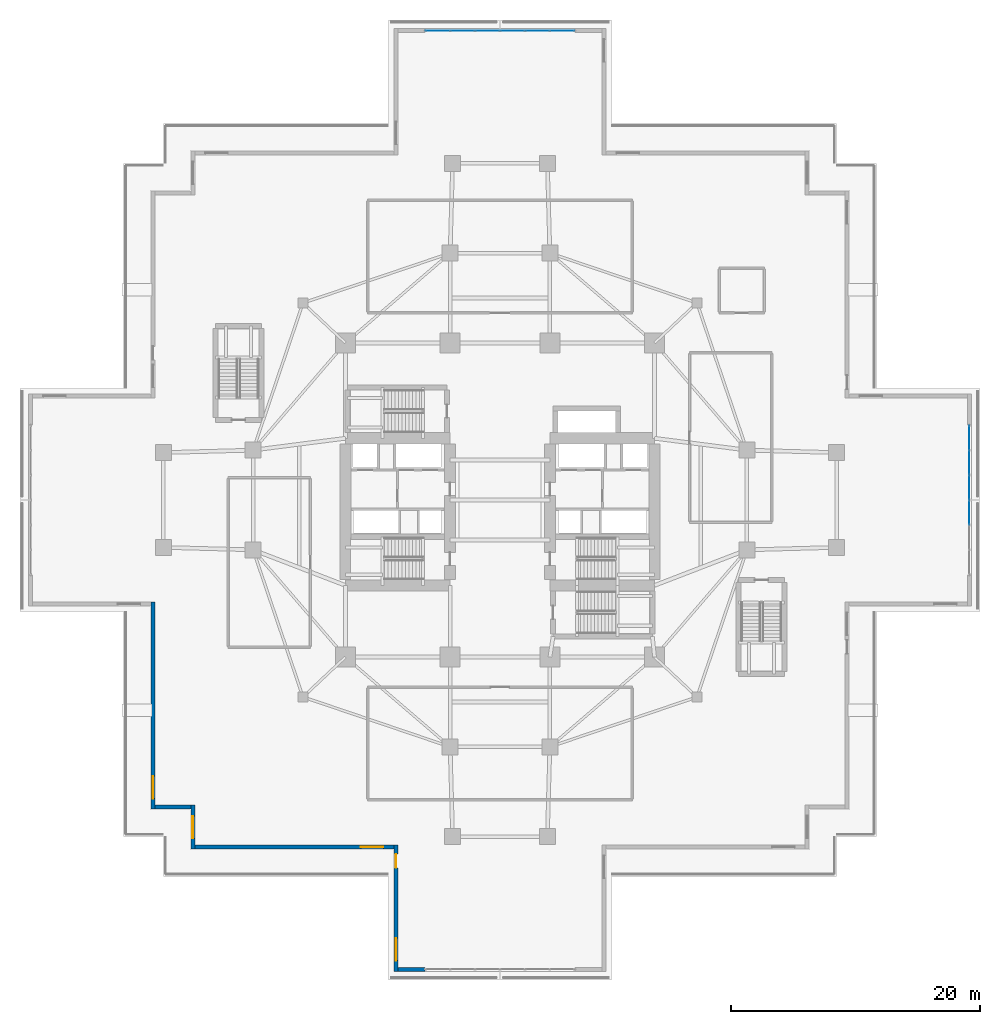
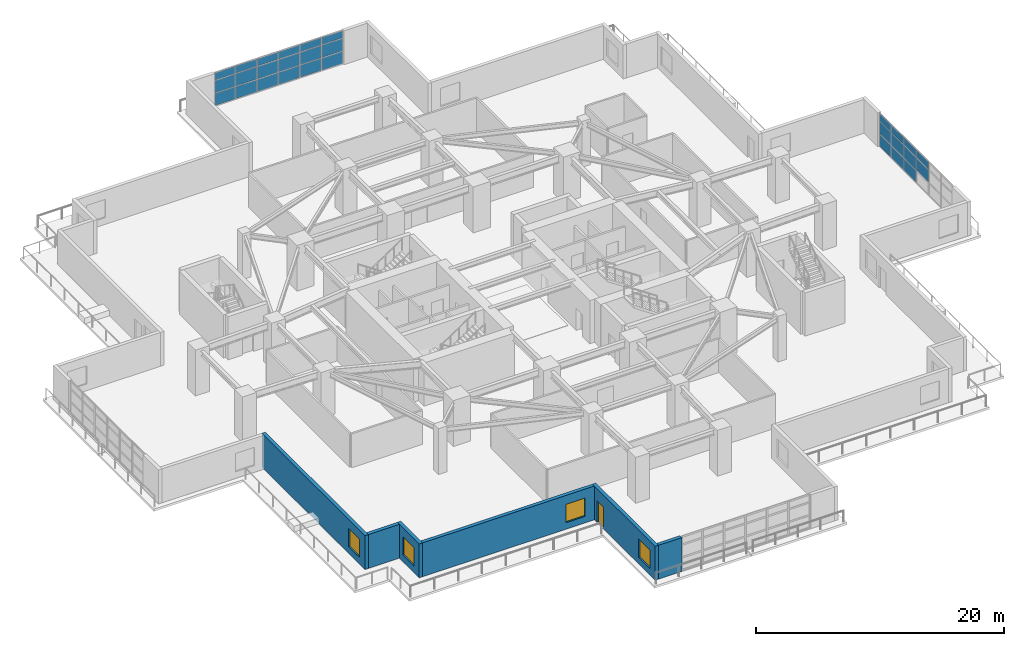
# One storey, part 12 of 23: 29 plates, 6 walls, 4 windows, 1 door, 5 openings, 2 elements without a shape of their own.
"""IFC4 building model written with IfcOpenShell, lengths in metres."""

import ifcopenshell
import ifcopenshell.guid

model = None  # the IFC model being written
_history = None  # IfcOwnerHistory: only IFC2X3 demands one
_inside = {}  # id of a spatial element -> (the spatial element, [elements in it])
_under = {}  # id of a project, library or spatial element -> (it, [spatial elements below it])
_declared = {}  # id of a project -> (the project, [libraries it declares])
_typed = {}  # id of a type object -> (the type object, [elements of that type])
_made_of = {}  # id of a material, layer set ... -> (it, [elements and type objects made of it])


def new_model(schema):
    """Start an empty IFC model of exactly this schema.

    Asked for "IFC4X3", IfcOpenShell would pick the latest addendum, in which some entities
    have other attributes; the version numbers below select the first issue.
    IFC2X3 requires an IfcOwnerHistory on every rooted entity: one is made here for all.
    """
    global model, _history
    if schema == "IFC4X3":
        model = ifcopenshell.file(schema_version=(4, 3, 0, 0))
    else:
        model = ifcopenshell.file(schema=schema)
    _inside.clear()
    _under.clear()
    _declared.clear()
    _typed.clear()
    _made_of.clear()
    _history = None
    if model.schema == "IFC2X3":
        org = make("IfcOrganization", Name="unknown")
        user = make(
            "IfcPersonAndOrganization",
            ThePerson=make("IfcPerson", FamilyName="unknown"),
            TheOrganization=org,
        )
        app = make(
            "IfcApplication",
            ApplicationDeveloper=org,
            Version="unknown",
            ApplicationFullName="unknown",
            ApplicationIdentifier="unknown",
        )
        _history = make(
            "IfcOwnerHistory",
            OwningUser=user,
            OwningApplication=app,
            ChangeAction="ADDED",
            CreationDate=0,
        )
    return model


def make(cls, **values):
    """One entity of the class cls with the attributes given. An attribute that is None is left unset."""
    return model.create_entity(
        cls, **{name: value for name, value in values.items() if value is not None}
    )


def rooted(cls, **values):
    """An entity with a GlobalId (a new one), such as an element, a storey or a relation."""
    return make(cls, GlobalId=ifcopenshell.guid.new(), OwnerHistory=_history, **values)


def si_unit(unit_type, name, prefix=None):
    """IfcSIUnit, for example si_unit("LENGTHUNIT", "METRE", prefix="MILLI")."""
    return make("IfcSIUnit", UnitType=unit_type, Prefix=prefix, Name=name)


def assignment(units):
    """IfcUnitAssignment: the units of a project."""
    return None if units is None else make("IfcUnitAssignment", Units=units)


def point(xyz):
    """IfcCartesianPoint."""
    return None if xyz is None else make("IfcCartesianPoint", Coordinates=xyz)


def direction(xyz):
    """IfcDirection."""
    return None if xyz is None else make("IfcDirection", DirectionRatios=xyz)


def frame(location, z_axis=None, x_axis=None):
    """IfcAxis2Placement3D, a coordinate frame: its origin and axes. An axis left out is left unset."""
    return make(
        "IfcAxis2Placement3D",
        Location=point(location),
        Axis=direction(z_axis),
        RefDirection=direction(x_axis),
    )


def frame_2d(location, x_axis=None):
    """IfcAxis2Placement2D, a coordinate frame in the plane: its origin and x axis."""
    return make(
        "IfcAxis2Placement2D", Location=point(location), RefDirection=direction(x_axis)
    )


def origin():
    """The frame at (0, 0, 0) with its axes left unset."""
    return frame((0.0, 0.0, 0.0))


def origin_2d():
    """The frame at (0, 0) in the plane with its x axis left unset."""
    return frame_2d((0.0, 0.0))


def place(relative_to, where):
    """IfcLocalPlacement: puts the frame where relative to a parent placement (None: the world)."""
    return make(
        "IfcLocalPlacement", PlacementRelTo=relative_to, RelativePlacement=where
    )


def context(
    kind, dimensions, precision=None, world=None, true_north=None, identifier=None
):
    """IfcGeometricRepresentationContext, for example the 3D "Model" context."""
    return make(
        "IfcGeometricRepresentationContext",
        ContextIdentifier=identifier,
        ContextType=kind,
        CoordinateSpaceDimension=dimensions,
        Precision=precision,
        WorldCoordinateSystem=world,
        TrueNorth=true_north,
    )


def subcontext(parent, identifier, kind, view, scale=None):
    """IfcGeometricRepresentationSubContext, for example "Body" below "Model"."""
    return make(
        "IfcGeometricRepresentationSubContext",
        ContextIdentifier=identifier,
        ContextType=kind,
        ParentContext=parent,
        TargetScale=scale,
        TargetView=view,
    )


def project(units=None, contexts=None):
    """IfcProject with its units and contexts."""
    return rooted(
        "IfcProject",
        Name="project",
        RepresentationContexts=contexts,
        UnitsInContext=assignment(units),
    )


def spatial(cls, under=None, at=None, **own):
    """A site, building, storey or space (cls), placed at a placement, below another one or the project."""
    s = rooted(cls, ObjectPlacement=at, **own)
    if under is not None:
        _under.setdefault(under.id(), (under, []))[1].append(s)
    return s


def profile(cls, at=None, kind="AREA", **sizes):
    """A parametric profile (cls). Its sizes go by their IFC names, for example OverallWidth=200.0."""
    return make(cls, ProfileType=kind, Position=at, **sizes)


def rectangle(**sizes):
    """IfcRectangleProfileDef."""
    return profile("IfcRectangleProfileDef", **sizes)


def extrude(swept, where, along, depth):
    """IfcExtrudedAreaSolid: the profile swept, set in the frame where, extruded along a direction by depth."""
    return make(
        "IfcExtrudedAreaSolid",
        SweptArea=swept,
        Position=where,
        ExtrudedDirection=direction(along),
        Depth=depth,
    )


def shape(context_of_items, identifier, shape_type, items):
    """IfcShapeRepresentation: the items that make up one representation, for example the "Body"."""
    return make(
        "IfcShapeRepresentation",
        ContextOfItems=context_of_items,
        RepresentationIdentifier=identifier,
        RepresentationType=shape_type,
        Items=items,
    )


def material(Name=None, Category=None):
    """IfcMaterial."""
    return make("IfcMaterial", Name=Name, Category=Category)


def layer(
    of_material, thickness, ventilated=None, Name=None, Category=None, Priority=None
):
    """IfcMaterialLayer: one layer of a wall or slab, of a material (None: an air gap)."""
    return make(
        "IfcMaterialLayer",
        Material=of_material,
        LayerThickness=thickness,
        IsVentilated=ventilated,
        Name=Name,
        Category=Category,
        Priority=Priority,
    )


def layer_set(layers, Name=None):
    """IfcMaterialLayerSet."""
    return make("IfcMaterialLayerSet", MaterialLayers=layers, LayerSetName=Name)


def made_of(thing, what):
    """Note that an element or type object is made of a material, layer set ...; save() writes the relation."""
    if what is not None:
        _made_of.setdefault(what.id(), (what, []))[1].append(thing)
    return thing


def type_object(cls, material=None, **own):
    """A type object (cls), such as IfcWallType, which elements share."""
    return made_of(rooted(cls, **own), material)


def element(
    cls,
    number,
    at=None,
    inside=None,
    cuts=None,
    type_object=None,
    material=None,
    context=None,
    identifier="Body",
    shape_type=None,
    held_by="IfcProductDefinitionShape",
    body=None,
    shapes=None,
    **own,
):
    """One element of the class cls, such as IfcWall. Its Tag is "e" and its number.

    at: its placement. inside: the storey or other place that contains it. cuts: it is an
    opening in that element (IfcRelVoidsElement). A single representation is given by context,
    identifier, shape_type and body (its items); several are given by shapes. held_by: the class
    of the entity that holds the representations. save() writes the other relations.
    """
    e = rooted(cls, Tag="e%d" % number, ObjectPlacement=at, **own)
    if body is not None:
        shapes = [shape(context, identifier, shape_type, body)]
    if shapes is not None:
        e.Representation = make(held_by, Representations=shapes)
    if inside is not None:
        _inside.setdefault(inside.id(), (inside, []))[1].append(e)
    if cuts is not None:
        rooted(
            "IfcRelVoidsElement", RelatingBuildingElement=cuts, RelatedOpeningElement=e
        )
    if type_object is not None:
        _typed.setdefault(type_object.id(), (type_object, []))[1].append(e)
    return made_of(e, material)


def fill(opening, filler):
    """IfcRelFillsElement: the door or window that sits in an opening."""
    return rooted(
        "IfcRelFillsElement",
        RelatingOpeningElement=opening,
        RelatedBuildingElement=filler,
    )


def aggregate(whole, parts):
    """IfcRelAggregates: a whole, such as a stair, and the parts it consists of."""
    return rooted("IfcRelAggregates", RelatingObject=whole, RelatedObjects=parts)


def save(model, path):
    """Write the relations noted so far, then the file.

    IfcRelAggregates (storeys below a building ...), IfcRelContainedInSpatialStructure (elements
    in a storey), IfcRelDefinesByType, IfcRelAssociatesMaterial and IfcRelDeclares: one each for
    every whole, place, type object, material and project.
    """
    for whole, parts in _under.values():
        aggregate(whole, parts)
    for where, things in _inside.values():
        rooted(
            "IfcRelContainedInSpatialStructure",
            RelatedElements=things,
            RelatingStructure=where,
        )
    for kind, things in _typed.values():
        rooted("IfcRelDefinesByType", RelatedObjects=things, RelatingType=kind)
    for what, things in _made_of.values():
        rooted("IfcRelAssociatesMaterial", RelatedObjects=things, RelatingMaterial=what)
    for by, libraries in _declared.values():
        rooted("IfcRelDeclares", RelatingContext=by, RelatedDefinitions=libraries)
    model.write(path)


model = new_model("IFC4")

# Units and contexts
model_context = context("Model", 3, precision=1e-05, world=origin(), true_north=direction((0.0, 1.0)))
body_context = subcontext(model_context, "Body", "Model", "MODEL_VIEW")
ifc_project = project(units=[si_unit("LENGTHUNIT", "METRE"), si_unit("AREAUNIT", "SQUARE_METRE"), si_unit("VOLUMEUNIT", "CUBIC_METRE"), si_unit("PLANEANGLEUNIT", "RADIAN"), si_unit("MASSUNIT", "GRAM", prefix="KILO")], contexts=[model_context])

# Site, building, storey
site_placement = place(None, origin())
site = spatial("IfcSite", under=ifc_project, at=site_placement, CompositionType="ELEMENT")
building_placement = place(site_placement, origin())
building = spatial("IfcBuilding", under=site, at=building_placement, Name="Qingluan Cross Belvedere", CompositionType="ELEMENT")
storey_placement = place(building_placement, frame((0.0, 0.0, 10.199951171875)))
storey = spatial("IfcBuildingStorey", under=building, at=storey_placement, Name="L03", CompositionType="ELEMENT", Elevation=10.199951171875)

# Curtain wall, plates
ifc_material_1 = material(Name="Thermally broken aluminium and Low-E glass", Category="aluminium")
ifc_layer_1 = layer(ifc_material_1, 0.219970703125, Name="UnitisedCW_BallroomFoyer")
ifc_layer_set_1 = layer_set([ifc_layer_1], Name="Thermally broken aluminium and Low-E glass")
curtain_wall_type = type_object("IfcCurtainWallType", Name="UnitisedCW_BallroomFoyer", PredefinedType="USERDEFINED", material=ifc_layer_set_1)
curtain_wall_1_placement = place(storey_placement, origin())
curtain_wall_1 = element("IfcCurtainWall", 1, at=curtain_wall_1_placement, inside=storey, type_object=curtain_wall_type, Name="UnitisedCW_BallroomFoyer run env:cw:L03:N", ObjectType="UNITISED CURTAIN WALL", PredefinedType="USERDEFINED")
ifc_material_2 = material(Name="Ceramic-fritted insulated spandrel glass", Category="glass")
ifc_layer_2 = layer(ifc_material_2, 0.0439453125, Name="CWSpandrelPanel_44")
ifc_layer_set_2 = layer_set([ifc_layer_2], Name="Ceramic-fritted insulated spandrel glass")
plate_type = type_object("IfcPlateType", Name="CWSpandrelPanel_44", PredefinedType="CURTAIN_PANEL", material=ifc_layer_set_2)
plate_1_placement = place(storey_placement, frame((-4.985107421875, 37.639892578125, 0.06005859375), z_axis=(0.0, 0.0, 1.0), x_axis=(1.0, 0.0, 0.0)))
plate_1 = element("IfcPlate", 2, at=plate_1_placement, type_object=plate_type, Name="CW-P2 panel 1.1", PredefinedType="CURTAIN_PANEL", context=body_context, shape_type="SweptSolid", body=[
    extrude(rectangle(XDim=1.909912109375, YDim=0.028076171875, at=origin_2d()), origin(), (0.0, 0.0, 1.0), 1.175048828125),
])
plate_2_placement = place(storey_placement, frame((-4.985107421875, 37.639892578125, 1.294921875), z_axis=(0.0, 0.0, 1.0), x_axis=(1.0, 0.0, 0.0)))
plate_2 = element("IfcPlate", 3, at=plate_2_placement, type_object=plate_type, Name="CW-P2 panel 1.2", PredefinedType="CURTAIN_PANEL", context=body_context, shape_type="SweptSolid", body=[
    extrude(rectangle(XDim=1.909912109375, YDim=0.028076171875, at=origin_2d()), origin(), (0.0, 0.0, 1.0), 1.2060546875),
])
plate_3_placement = place(storey_placement, frame((-4.985107421875, 37.639892578125, 2.56103515625), z_axis=(0.0, 0.0, 1.0), x_axis=(1.0, 0.0, 0.0)))
plate_3 = element("IfcPlate", 4, at=plate_3_placement, type_object=plate_type, Name="CW-P2 panel 1.3", PredefinedType="CURTAIN_PANEL", context=body_context, shape_type="SweptSolid", body=[
    extrude(rectangle(XDim=1.909912109375, YDim=0.028076171875, at=origin_2d()), origin(), (0.0, 0.0, 1.0), 0.708984375),
])
plate_4_placement = place(storey_placement, frame((-3.0, 37.639892578125, 0.06005859375), z_axis=(0.0, 0.0, 1.0), x_axis=(1.0, 0.0, 0.0)))
plate_4 = element("IfcPlate", 5, at=plate_4_placement, type_object=plate_type, Name="CW-P2 panel 2.1", PredefinedType="CURTAIN_PANEL", context=body_context, shape_type="SweptSolid", body=[
    extrude(rectangle(XDim=1.93994140625, YDim=0.028076171875, at=origin_2d()), origin(), (0.0, 0.0, 1.0), 1.175048828125),
])
plate_5_placement = place(storey_placement, frame((-3.0, 37.639892578125, 1.294921875), z_axis=(0.0, 0.0, 1.0), x_axis=(1.0, 0.0, 0.0)))
plate_5 = element("IfcPlate", 6, at=plate_5_placement, type_object=plate_type, Name="CW-P2 panel 2.2", PredefinedType="CURTAIN_PANEL", context=body_context, shape_type="SweptSolid", body=[
    extrude(rectangle(XDim=1.93994140625, YDim=0.028076171875, at=origin_2d()), origin(), (0.0, 0.0, 1.0), 1.2060546875),
])
plate_6_placement = place(storey_placement, frame((-3.0, 37.639892578125, 2.56103515625), z_axis=(0.0, 0.0, 1.0), x_axis=(1.0, 0.0, 0.0)))
plate_6 = element("IfcPlate", 7, at=plate_6_placement, type_object=plate_type, Name="CW-P2 panel 2.3", PredefinedType="CURTAIN_PANEL", context=body_context, shape_type="SweptSolid", body=[
    extrude(rectangle(XDim=1.93994140625, YDim=0.028076171875, at=origin_2d()), origin(), (0.0, 0.0, 1.0), 0.708984375),
])
plate_7_placement = place(storey_placement, frame((-1.0, 37.639892578125, 0.06005859375), z_axis=(0.0, 0.0, 1.0), x_axis=(1.0, 0.0, 0.0)))
plate_7 = element("IfcPlate", 8, at=plate_7_placement, type_object=plate_type, Name="CW-P2 panel 3.1", PredefinedType="CURTAIN_PANEL", context=body_context, shape_type="SweptSolid", body=[
    extrude(rectangle(XDim=1.93994140625, YDim=0.028076171875, at=origin_2d()), origin(), (0.0, 0.0, 1.0), 1.175048828125),
])
plate_8_placement = place(storey_placement, frame((-1.0, 37.639892578125, 1.294921875), z_axis=(0.0, 0.0, 1.0), x_axis=(1.0, 0.0, 0.0)))
plate_8 = element("IfcPlate", 9, at=plate_8_placement, type_object=plate_type, Name="CW-P2 panel 3.2", PredefinedType="CURTAIN_PANEL", context=body_context, shape_type="SweptSolid", body=[
    extrude(rectangle(XDim=1.93994140625, YDim=0.028076171875, at=origin_2d()), origin(), (0.0, 0.0, 1.0), 1.2060546875),
])
plate_9_placement = place(storey_placement, frame((-1.0, 37.639892578125, 2.56103515625), z_axis=(0.0, 0.0, 1.0), x_axis=(1.0, 0.0, 0.0)))
plate_9 = element("IfcPlate", 10, at=plate_9_placement, type_object=plate_type, Name="CW-P2 panel 3.3", PredefinedType="CURTAIN_PANEL", context=body_context, shape_type="SweptSolid", body=[
    extrude(rectangle(XDim=1.93994140625, YDim=0.028076171875, at=origin_2d()), origin(), (0.0, 0.0, 1.0), 0.708984375),
])
plate_10_placement = place(storey_placement, frame((1.0, 37.639892578125, 0.06005859375), z_axis=(0.0, 0.0, 1.0), x_axis=(1.0, 0.0, 0.0)))
plate_10 = element("IfcPlate", 11, at=plate_10_placement, type_object=plate_type, Name="CW-P2 panel 4.1", PredefinedType="CURTAIN_PANEL", context=body_context, shape_type="SweptSolid", body=[
    extrude(rectangle(XDim=1.93994140625, YDim=0.028076171875, at=origin_2d()), origin(), (0.0, 0.0, 1.0), 1.175048828125),
])
plate_11_placement = place(storey_placement, frame((1.0, 37.639892578125, 1.294921875), z_axis=(0.0, 0.0, 1.0), x_axis=(1.0, 0.0, 0.0)))
plate_11 = element("IfcPlate", 12, at=plate_11_placement, type_object=plate_type, Name="CW-P2 panel 4.2", PredefinedType="CURTAIN_PANEL", context=body_context, shape_type="SweptSolid", body=[
    extrude(rectangle(XDim=1.93994140625, YDim=0.028076171875, at=origin_2d()), origin(), (0.0, 0.0, 1.0), 1.2060546875),
])
plate_12_placement = place(storey_placement, frame((1.0, 37.639892578125, 2.56103515625), z_axis=(0.0, 0.0, 1.0), x_axis=(1.0, 0.0, 0.0)))
plate_12 = element("IfcPlate", 13, at=plate_12_placement, type_object=plate_type, Name="CW-P2 panel 4.3", PredefinedType="CURTAIN_PANEL", context=body_context, shape_type="SweptSolid", body=[
    extrude(rectangle(XDim=1.93994140625, YDim=0.028076171875, at=origin_2d()), origin(), (0.0, 0.0, 1.0), 0.708984375),
])
plate_13_placement = place(storey_placement, frame((3.0, 37.639892578125, 0.06005859375), z_axis=(0.0, 0.0, 1.0), x_axis=(1.0, 0.0, 0.0)))
plate_13 = element("IfcPlate", 14, at=plate_13_placement, type_object=plate_type, Name="CW-P2 panel 5.1", PredefinedType="CURTAIN_PANEL", context=body_context, shape_type="SweptSolid", body=[
    extrude(rectangle(XDim=1.93994140625, YDim=0.028076171875, at=origin_2d()), origin(), (0.0, 0.0, 1.0), 1.175048828125),
])
plate_14_placement = place(storey_placement, frame((3.0, 37.639892578125, 1.294921875), z_axis=(0.0, 0.0, 1.0), x_axis=(1.0, 0.0, 0.0)))
plate_14 = element("IfcPlate", 15, at=plate_14_placement, type_object=plate_type, Name="CW-P2 panel 5.2", PredefinedType="CURTAIN_PANEL", context=body_context, shape_type="SweptSolid", body=[
    extrude(rectangle(XDim=1.93994140625, YDim=0.028076171875, at=origin_2d()), origin(), (0.0, 0.0, 1.0), 1.2060546875),
])
plate_15_placement = place(storey_placement, frame((3.0, 37.639892578125, 2.56103515625), z_axis=(0.0, 0.0, 1.0), x_axis=(1.0, 0.0, 0.0)))
plate_15 = element("IfcPlate", 16, at=plate_15_placement, type_object=plate_type, Name="CW-P2 panel 5.3", PredefinedType="CURTAIN_PANEL", context=body_context, shape_type="SweptSolid", body=[
    extrude(rectangle(XDim=1.93994140625, YDim=0.028076171875, at=origin_2d()), origin(), (0.0, 0.0, 1.0), 0.708984375),
])
plate_16_placement = place(storey_placement, frame((4.985107421875, 37.639892578125, 0.06005859375), z_axis=(0.0, 0.0, 1.0), x_axis=(1.0, 0.0, 0.0)))
plate_16 = element("IfcPlate", 17, at=plate_16_placement, type_object=plate_type, Name="CW-P2 panel 6.1", PredefinedType="CURTAIN_PANEL", context=body_context, shape_type="SweptSolid", body=[
    extrude(rectangle(XDim=1.909912109375, YDim=0.028076171875, at=origin_2d()), origin(), (0.0, 0.0, 1.0), 1.175048828125),
])
plate_17_placement = place(storey_placement, frame((4.985107421875, 37.639892578125, 1.294921875), z_axis=(0.0, 0.0, 1.0), x_axis=(1.0, 0.0, 0.0)))
plate_17 = element("IfcPlate", 18, at=plate_17_placement, type_object=plate_type, Name="CW-P2 panel 6.2", PredefinedType="CURTAIN_PANEL", context=body_context, shape_type="SweptSolid", body=[
    extrude(rectangle(XDim=1.909912109375, YDim=0.028076171875, at=origin_2d()), origin(), (0.0, 0.0, 1.0), 1.2060546875),
])
plate_18_placement = place(storey_placement, frame((4.985107421875, 37.639892578125, 2.56103515625), z_axis=(0.0, 0.0, 1.0), x_axis=(1.0, 0.0, 0.0)))
plate_18 = element("IfcPlate", 19, at=plate_18_placement, type_object=plate_type, Name="CW-P2 panel 6.3", PredefinedType="CURTAIN_PANEL", context=body_context, shape_type="SweptSolid", body=[
    extrude(rectangle(XDim=1.909912109375, YDim=0.028076171875, at=origin_2d()), origin(), (0.0, 0.0, 1.0), 0.708984375),
])
aggregate(curtain_wall_1, [plate_1, plate_2, plate_3, plate_4, plate_5, plate_6, plate_7, plate_8, plate_9, plate_10, plate_11, plate_12, plate_13, plate_14, plate_15, plate_16, plate_17, plate_18])

curtain_wall_2_placement = place(storey_placement, origin())
curtain_wall_2 = element("IfcCurtainWall", 20, at=curtain_wall_2_placement, inside=storey, type_object=curtain_wall_type, Name="UnitisedCW_BallroomFoyer run env:cw:L03:E", ObjectType="UNITISED CURTAIN WALL", PredefinedType="USERDEFINED")
plate_19_placement = place(storey_placement, frame((37.639892578125, 4.985107421875, 0.06005859375), z_axis=(0.0, 0.0, 1.0), x_axis=(0.0, -1.0, 0.0)))
plate_19 = element("IfcPlate", 21, at=plate_19_placement, type_object=plate_type, Name="CW-P2 panel 1.1", PredefinedType="CURTAIN_PANEL", context=body_context, shape_type="SweptSolid", body=[
    extrude(rectangle(XDim=1.909912109375, YDim=0.028076171875, at=origin_2d()), origin(), (0.0, 0.0, 1.0), 1.175048828125),
])
plate_20_placement = place(storey_placement, frame((37.639892578125, 4.985107421875, 1.294921875), z_axis=(0.0, 0.0, 1.0), x_axis=(0.0, -1.0, 0.0)))
plate_20 = element("IfcPlate", 22, at=plate_20_placement, type_object=plate_type, Name="CW-P2 panel 1.2", PredefinedType="CURTAIN_PANEL", context=body_context, shape_type="SweptSolid", body=[
    extrude(rectangle(XDim=1.909912109375, YDim=0.028076171875, at=origin_2d()), origin(), (0.0, 0.0, 1.0), 1.2060546875),
])
plate_21_placement = place(storey_placement, frame((37.639892578125, 4.985107421875, 2.56103515625), z_axis=(0.0, 0.0, 1.0), x_axis=(0.0, -1.0, 0.0)))
plate_21 = element("IfcPlate", 23, at=plate_21_placement, type_object=plate_type, Name="CW-P2 panel 1.3", PredefinedType="CURTAIN_PANEL", context=body_context, shape_type="SweptSolid", body=[
    extrude(rectangle(XDim=1.909912109375, YDim=0.028076171875, at=origin_2d()), origin(), (0.0, 0.0, 1.0), 0.708984375),
])
plate_22_placement = place(storey_placement, frame((37.639892578125, 3.0, 0.06005859375), z_axis=(0.0, 0.0, 1.0), x_axis=(0.0, -1.0, 0.0)))
plate_22 = element("IfcPlate", 24, at=plate_22_placement, type_object=plate_type, Name="CW-P2 panel 2.1", PredefinedType="CURTAIN_PANEL", context=body_context, shape_type="SweptSolid", body=[
    extrude(rectangle(XDim=1.93994140625, YDim=0.028076171875, at=origin_2d()), origin(), (0.0, 0.0, 1.0), 1.175048828125),
])
plate_23_placement = place(storey_placement, frame((37.639892578125, 3.0, 1.294921875), z_axis=(0.0, 0.0, 1.0), x_axis=(0.0, -1.0, 0.0)))
plate_23 = element("IfcPlate", 25, at=plate_23_placement, type_object=plate_type, Name="CW-P2 panel 2.2", PredefinedType="CURTAIN_PANEL", context=body_context, shape_type="SweptSolid", body=[
    extrude(rectangle(XDim=1.93994140625, YDim=0.028076171875, at=origin_2d()), origin(), (0.0, 0.0, 1.0), 1.2060546875),
])
plate_24_placement = place(storey_placement, frame((37.639892578125, 3.0, 2.56103515625), z_axis=(0.0, 0.0, 1.0), x_axis=(0.0, -1.0, 0.0)))
plate_24 = element("IfcPlate", 26, at=plate_24_placement, type_object=plate_type, Name="CW-P2 panel 2.3", PredefinedType="CURTAIN_PANEL", context=body_context, shape_type="SweptSolid", body=[
    extrude(rectangle(XDim=1.93994140625, YDim=0.028076171875, at=origin_2d()), origin(), (0.0, 0.0, 1.0), 0.708984375),
])
plate_25_placement = place(storey_placement, frame((37.639892578125, 1.0, 0.06005859375), z_axis=(0.0, 0.0, 1.0), x_axis=(0.0, -1.0, 0.0)))
plate_25 = element("IfcPlate", 27, at=plate_25_placement, type_object=plate_type, Name="CW-P2 panel 3.1", PredefinedType="CURTAIN_PANEL", context=body_context, shape_type="SweptSolid", body=[
    extrude(rectangle(XDim=1.93994140625, YDim=0.028076171875, at=origin_2d()), origin(), (0.0, 0.0, 1.0), 1.175048828125),
])
plate_26_placement = place(storey_placement, frame((37.639892578125, 1.0, 1.294921875), z_axis=(0.0, 0.0, 1.0), x_axis=(0.0, -1.0, 0.0)))
plate_26 = element("IfcPlate", 28, at=plate_26_placement, type_object=plate_type, Name="CW-P2 panel 3.2", PredefinedType="CURTAIN_PANEL", context=body_context, shape_type="SweptSolid", body=[
    extrude(rectangle(XDim=1.93994140625, YDim=0.028076171875, at=origin_2d()), origin(), (0.0, 0.0, 1.0), 1.2060546875),
])
plate_27_placement = place(storey_placement, frame((37.639892578125, 1.0, 2.56103515625), z_axis=(0.0, 0.0, 1.0), x_axis=(0.0, -1.0, 0.0)))
plate_27 = element("IfcPlate", 29, at=plate_27_placement, type_object=plate_type, Name="CW-P2 panel 3.3", PredefinedType="CURTAIN_PANEL", context=body_context, shape_type="SweptSolid", body=[
    extrude(rectangle(XDim=1.93994140625, YDim=0.028076171875, at=origin_2d()), origin(), (0.0, 0.0, 1.0), 0.708984375),
])
plate_28_placement = place(storey_placement, frame((37.639892578125, -1.0, 1.294921875), z_axis=(0.0, 0.0, 1.0), x_axis=(0.0, -1.0, 0.0)))
plate_28 = element("IfcPlate", 30, at=plate_28_placement, type_object=plate_type, Name="CW-P2 panel 4.2", PredefinedType="CURTAIN_PANEL", context=body_context, shape_type="SweptSolid", body=[
    extrude(rectangle(XDim=1.93994140625, YDim=0.028076171875, at=origin_2d()), origin(), (0.0, 0.0, 1.0), 1.2060546875),
])
plate_29_placement = place(storey_placement, frame((37.639892578125, -1.0, 2.56103515625), z_axis=(0.0, 0.0, 1.0), x_axis=(0.0, -1.0, 0.0)))
plate_29 = element("IfcPlate", 31, at=plate_29_placement, type_object=plate_type, Name="CW-P2 panel 4.3", PredefinedType="CURTAIN_PANEL", context=body_context, shape_type="SweptSolid", body=[
    extrude(rectangle(XDim=1.93994140625, YDim=0.028076171875, at=origin_2d()), origin(), (0.0, 0.0, 1.0), 0.708984375),
])
aggregate(curtain_wall_2, [plate_19, plate_20, plate_21, plate_22, plate_23, plate_24, plate_25, plate_26, plate_27, plate_28, plate_29])

# Wall
ifc_material_3 = material(Name="Precast concrete C45", Category="concrete")
ifc_layer_3 = layer(ifc_material_3, 0.320068359375, Name="PrecastPodiumWall_320")
ifc_layer_set_3 = layer_set([ifc_layer_3], Name="Precast concrete C45")
wall_type = type_object("IfcWallType", Name="PrecastPodiumWall_320", PredefinedType="STANDARD", material=ifc_layer_set_3)
wall_1_placement = place(storey_placement, frame((-6.0, -37.639892578125, 0.0), z_axis=(0.0, 0.0, 1.0), x_axis=(-1.0, 0.0, 0.0)))
element("IfcWall", 32, at=wall_1_placement, inside=storey, type_object=wall_type, Name="Podium portal pier L03-P1JB", PredefinedType="STANDARD", context=body_context, shape_type="SweptSolid", body=[
    extrude(rectangle(XDim=2.179931640625, YDim=0.320068359375, at=frame_2d((1.08984375, 0.0))), origin(), (0.0, 0.0, 1.0), 3.330078125),
])

# Wall, openings, window, door
wall_2_placement = place(storey_placement, frame((-8.340087890625, -37.800048828125, 0.0), z_axis=(0.0, 0.0, 1.0), x_axis=(0.0, 1.0, 0.0)))
wall_2 = element("IfcWall", 33, at=wall_2_placement, inside=storey, type_object=wall_type, Name="Podium precast facade wall L03-S5", PredefinedType="STANDARD", context=body_context, shape_type="SweptSolid", body=[
    extrude(rectangle(XDim=10.1201171875, YDim=0.320068359375, at=frame_2d((5.06005859375, 0.0))), origin(), (0.0, 0.0, 1.0), 3.330078125),
])
opening_1_placement = place(wall_2_placement, frame((0.85009765625, 0.0, 0.64990234375)))
opening_1 = element("IfcOpeningElement", 34, at=opening_1_placement, cuts=wall_2, Name="Opening W-06", PredefinedType="OPENING", context=body_context, shape_type="SweptSolid", body=[
    extrude(rectangle(XDim=1.800048828125, YDim=1.800048828125, at=frame_2d((0.89990234375, 0.89990234375))), frame((0.0, 0.169921875, 0.0), z_axis=(0.0, -1.0, 0.0), x_axis=(1.0, 0.0, 0.0)), (0.0, 0.0, 1.0), 0.340087890625),
])
opening_2_placement = place(wall_2_placement, frame((8.300048828125, 0.0, 0.0)))
opening_2 = element("IfcOpeningElement", 35, at=opening_2_placement, cuts=wall_2, Name="Opening TD-11", PredefinedType="OPENING", context=body_context, shape_type="SweptSolid", body=[
    extrude(rectangle(XDim=1.10009765625, YDim=2.14990234375, at=frame_2d((0.550048828125, 1.074951171875))), frame((0.0, 0.169921875, 0.0), z_axis=(0.0, -1.0, 0.0), x_axis=(1.0, 0.0, 0.0)), (0.0, 0.0, 1.0), 0.340087890625),
])
ifc_material_4 = material(Name="Thermally broken triple Low-E glass in aluminium frame", Category="aluminium")
window_type = type_object("IfcWindowType", Name="PodiumGalleryWin_1800x1800", PartitioningType="SINGLE_PANEL", PredefinedType="WINDOW", material=ifc_material_4)
window_1_placement = place(opening_1_placement, origin())
window_1 = element("IfcWindow", 36, at=window_1_placement, inside=storey, type_object=window_type, Name="Podium gallery window L03-S5", OverallHeight=1.800048828125, OverallWidth=1.800048828125, PartitioningType="SINGLE_PANEL", PredefinedType="WINDOW", context=body_context, shape_type="SweptSolid", body=[
    extrude(rectangle(XDim=1.800048828125, YDim=1.800048828125, at=frame_2d((0.89990234375, 0.89990234375))), frame((0.0, 0.030029296875, 0.0), z_axis=(0.0, -1.0, 0.0), x_axis=(1.0, 0.0, 0.0)), (0.0, 0.0, 1.0), 0.06005859375),
])
fill(opening_1, window_1)
ifc_material_5 = material(Name="Thermally broken aluminium and Low-E glass", Category="aluminium")
door_type = type_object("IfcDoorType", Name="TerraceGlazedDoor_1100", OperationType="NOTDEFINED", PredefinedType="DOOR", material=ifc_material_5)
door_placement = place(opening_2_placement, origin())
door = element("IfcDoor", 37, at=door_placement, inside=storey, type_object=door_type, Name="Cascade terrace door L03-3", OperationType="SINGLE_SWING_RIGHT", OverallHeight=2.14990234375, OverallWidth=1.10009765625, PredefinedType="DOOR", context=body_context, shape_type="SweptSolid", body=[
    extrude(rectangle(XDim=1.10009765625, YDim=2.14990234375, at=frame_2d((0.550048828125, 1.074951171875))), frame((0.0, 0.02490234375, 0.0), z_axis=(0.0, -1.0, 0.0), x_axis=(1.0, 0.0, 0.0)), (0.0, 0.0, 1.0), 0.050048828125),
])
fill(opening_2, door)

# Wall, opening, window
wall_3_placement = place(storey_placement, frame((-8.5, -27.840087890625, 0.0), z_axis=(0.0, 0.0, 1.0), x_axis=(-1.0, 0.0, 0.0)))
wall_3 = element("IfcWall", 38, at=wall_3_placement, inside=storey, type_object=wall_type, Name="Podium precast facade wall L03-S6", PredefinedType="STANDARD", context=body_context, shape_type="SweptSolid", body=[
    extrude(rectangle(XDim=15.97998046875, YDim=0.320068359375, at=frame_2d((7.989990234375, 0.0))), origin(), (0.0, 0.0, 1.0), 3.330078125),
])
opening_3_placement = place(wall_3_placement, frame((0.85009765625, 0.0, 0.64990234375)))
opening_3 = element("IfcOpeningElement", 39, at=opening_3_placement, cuts=wall_3, Name="Opening W-06", PredefinedType="OPENING", context=body_context, shape_type="SweptSolid", body=[
    extrude(rectangle(XDim=1.800048828125, YDim=1.800048828125, at=frame_2d((0.89990234375, 0.89990234375))), frame((0.0, 0.169921875, 0.0), z_axis=(0.0, -1.0, 0.0), x_axis=(1.0, 0.0, 0.0)), (0.0, 0.0, 1.0), 0.340087890625),
])
window_2_placement = place(opening_3_placement, origin())
window_2 = element("IfcWindow", 40, at=window_2_placement, inside=storey, type_object=window_type, Name="Podium gallery window L03-S6", OverallHeight=1.800048828125, OverallWidth=1.800048828125, PartitioningType="SINGLE_PANEL", PredefinedType="WINDOW", context=body_context, shape_type="SweptSolid", body=[
    extrude(rectangle(XDim=1.800048828125, YDim=1.800048828125, at=frame_2d((0.89990234375, 0.89990234375))), frame((0.0, 0.030029296875, 0.0), z_axis=(0.0, -1.0, 0.0), x_axis=(1.0, 0.0, 0.0)), (0.0, 0.0, 1.0), 0.06005859375),
])
fill(opening_3, window_2)

wall_4_placement = place(storey_placement, frame((-24.639892578125, -28.0, 0.0), z_axis=(0.0, 0.0, 1.0), x_axis=(0.0, 1.0, 0.0)))
wall_4 = element("IfcWall", 41, at=wall_4_placement, inside=storey, type_object=wall_type, Name="Podium precast facade wall L03-S7", PredefinedType="STANDARD", context=body_context, shape_type="SweptSolid", body=[
    extrude(rectangle(XDim=3.52001953125, YDim=0.320068359375, at=frame_2d((1.760009765625, 0.0))), origin(), (0.0, 0.0, 1.0), 3.330078125),
])
opening_4_placement = place(wall_4_placement, frame((0.85009765625, 0.0, 0.64990234375)))
opening_4 = element("IfcOpeningElement", 42, at=opening_4_placement, cuts=wall_4, Name="Opening W-06", PredefinedType="OPENING", context=body_context, shape_type="SweptSolid", body=[
    extrude(rectangle(XDim=1.800048828125, YDim=1.800048828125, at=frame_2d((0.89990234375, 0.89990234375))), frame((0.0, 0.169921875, 0.0), z_axis=(0.0, -1.0, 0.0), x_axis=(1.0, 0.0, 0.0)), (0.0, 0.0, 1.0), 0.340087890625),
])
window_3_placement = place(opening_4_placement, origin())
window_3 = element("IfcWindow", 43, at=window_3_placement, inside=storey, type_object=window_type, Name="Podium gallery window L03-S7", OverallHeight=1.800048828125, OverallWidth=1.800048828125, PartitioningType="SINGLE_PANEL", PredefinedType="WINDOW", context=body_context, shape_type="SweptSolid", body=[
    extrude(rectangle(XDim=1.800048828125, YDim=1.800048828125, at=frame_2d((0.89990234375, 0.89990234375))), frame((0.0, 0.030029296875, 0.0), z_axis=(0.0, -1.0, 0.0), x_axis=(1.0, 0.0, 0.0)), (0.0, 0.0, 1.0), 0.06005859375),
])
fill(opening_4, window_3)

# Wall
wall_5_placement = place(storey_placement, frame((-24.800048828125, -24.639892578125, 0.0), z_axis=(0.0, 0.0, 1.0), x_axis=(-1.0, 0.0, 0.0)))
element("IfcWall", 44, at=wall_5_placement, inside=storey, type_object=wall_type, Name="Podium precast facade wall L03-S8", PredefinedType="STANDARD", context=body_context, shape_type="SweptSolid", body=[
    extrude(rectangle(XDim=2.8798828125, YDim=0.320068359375, at=frame_2d((1.43994140625, 0.0))), origin(), (0.0, 0.0, 1.0), 3.330078125),
])

# Wall, opening, window
wall_6_placement = place(storey_placement, frame((-27.840087890625, -24.800048828125, 0.0), z_axis=(0.0, 0.0, 1.0), x_axis=(0.0, 1.0, 0.0)))
wall_6 = element("IfcWall", 45, at=wall_6_placement, inside=storey, type_object=wall_type, Name="Podium precast facade wall L03-S9", PredefinedType="STANDARD", context=body_context, shape_type="SweptSolid", body=[
    extrude(rectangle(XDim=16.6201171875, YDim=0.320068359375, at=frame_2d((8.31005859375, 0.0))), origin(), (0.0, 0.0, 1.0), 3.330078125),
])
opening_5_placement = place(wall_6_placement, frame((0.85009765625, 0.0, 0.64990234375)))
opening_5 = element("IfcOpeningElement", 46, at=opening_5_placement, cuts=wall_6, Name="Opening W-06", PredefinedType="OPENING", context=body_context, shape_type="SweptSolid", body=[
    extrude(rectangle(XDim=1.800048828125, YDim=1.800048828125, at=frame_2d((0.89990234375, 0.89990234375))), frame((0.0, 0.169921875, 0.0), z_axis=(0.0, -1.0, 0.0), x_axis=(1.0, 0.0, 0.0)), (0.0, 0.0, 1.0), 0.340087890625),
])
window_4_placement = place(opening_5_placement, origin())
window_4 = element("IfcWindow", 47, at=window_4_placement, inside=storey, type_object=window_type, Name="Podium gallery window L03-S9", OverallHeight=1.800048828125, OverallWidth=1.800048828125, PartitioningType="SINGLE_PANEL", PredefinedType="WINDOW", context=body_context, shape_type="SweptSolid", body=[
    extrude(rectangle(XDim=1.800048828125, YDim=1.800048828125, at=frame_2d((0.89990234375, 0.89990234375))), frame((0.0, 0.030029296875, 0.0), z_axis=(0.0, -1.0, 0.0), x_axis=(1.0, 0.0, 0.0)), (0.0, 0.0, 1.0), 0.06005859375),
])
fill(opening_5, window_4)

save(model, "model.ifc")
